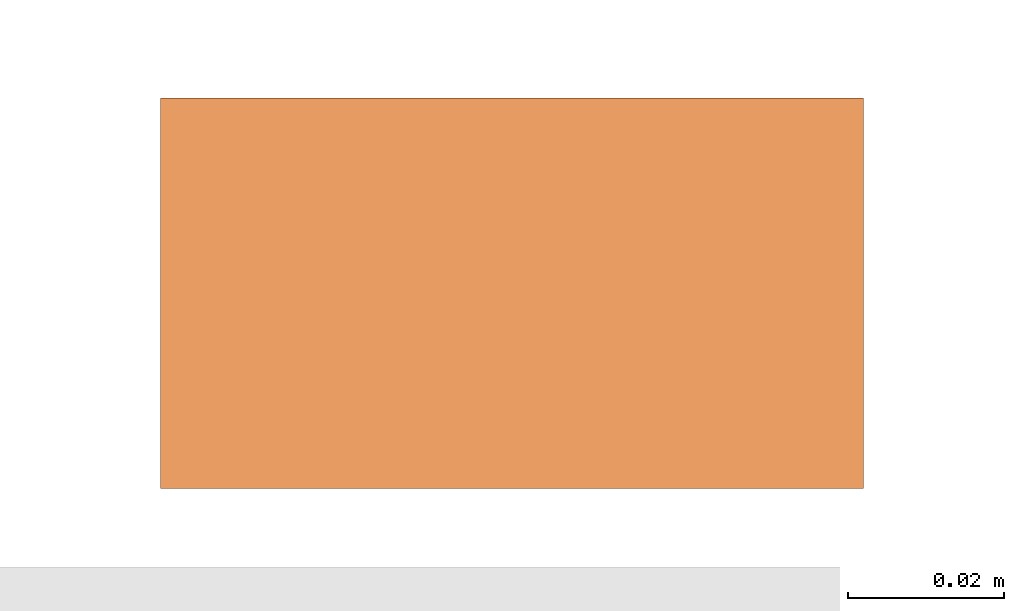
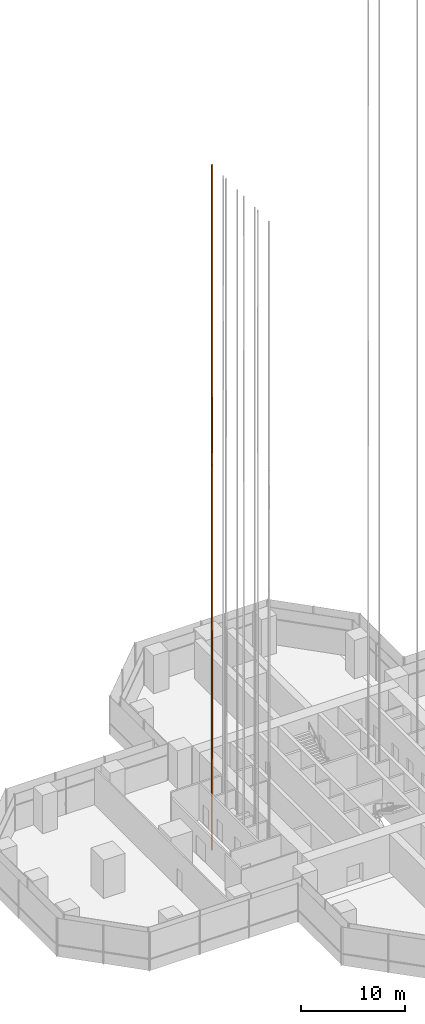
# One storey, part 34 of 34: 1 proxy.
"""IFC4 building model written with IfcOpenShell, lengths in metres."""

from ifc_helpers import new_model, si_unit, direction, frame, origin, origin_2d, place, context, subcontext, project, spatial, rectangle, extrude, material, element, save


model = new_model("IFC4")

# Units and contexts
model_context = context("Model", 3, precision=1e-05, world=origin(), true_north=direction((0.0, 1.0)))
body_context = subcontext(model_context, "Body", "Model", "MODEL_VIEW")
ifc_project = project(units=[si_unit("LENGTHUNIT", "METRE"), si_unit("AREAUNIT", "SQUARE_METRE"), si_unit("VOLUMEUNIT", "CUBIC_METRE"), si_unit("PLANEANGLEUNIT", "RADIAN"), si_unit("MASSUNIT", "GRAM", prefix="KILO")], contexts=[model_context])

# Site, building, storey
site_placement = place(None, origin())
site = spatial("IfcSite", under=ifc_project, at=site_placement, CompositionType="ELEMENT")
building_placement = place(site_placement, origin())
building = spatial("IfcBuilding", under=site, at=building_placement, Name="Mizan Broadcast Tower", CompositionType="ELEMENT")
storey_placement = place(building_placement, frame((0.0, 0.0, 194.39990234375)))
storey = spatial("IfcBuildingStorey", under=building, at=storey_placement, Name="L45", CompositionType="ELEMENT", Elevation=194.39990234375)

# Proxy
ifc_material = material(Name="Steel guide rail", Category="steel")
proxy_placement = place(storey_placement, frame((-12.27490234375, 5.485107421875, -3.89990234375), z_axis=(0.0, 0.0, 1.0), x_axis=(1.0, 0.0, 0.0)))
element("IfcBuildingElementProxy", 1, at=proxy_placement, inside=storey, material=ifc_material, Name="Guide rail LC1-2", PredefinedType="NOTDEFINED", context=body_context, shape_type="SweptSolid", body=[
    extrude(rectangle(XDim=0.090087890625, YDim=0.050048828125, at=origin_2d()), origin(), (0.0, 0.0, 1.0), 80.52001953125),
])

save(model, "model.ifc")
